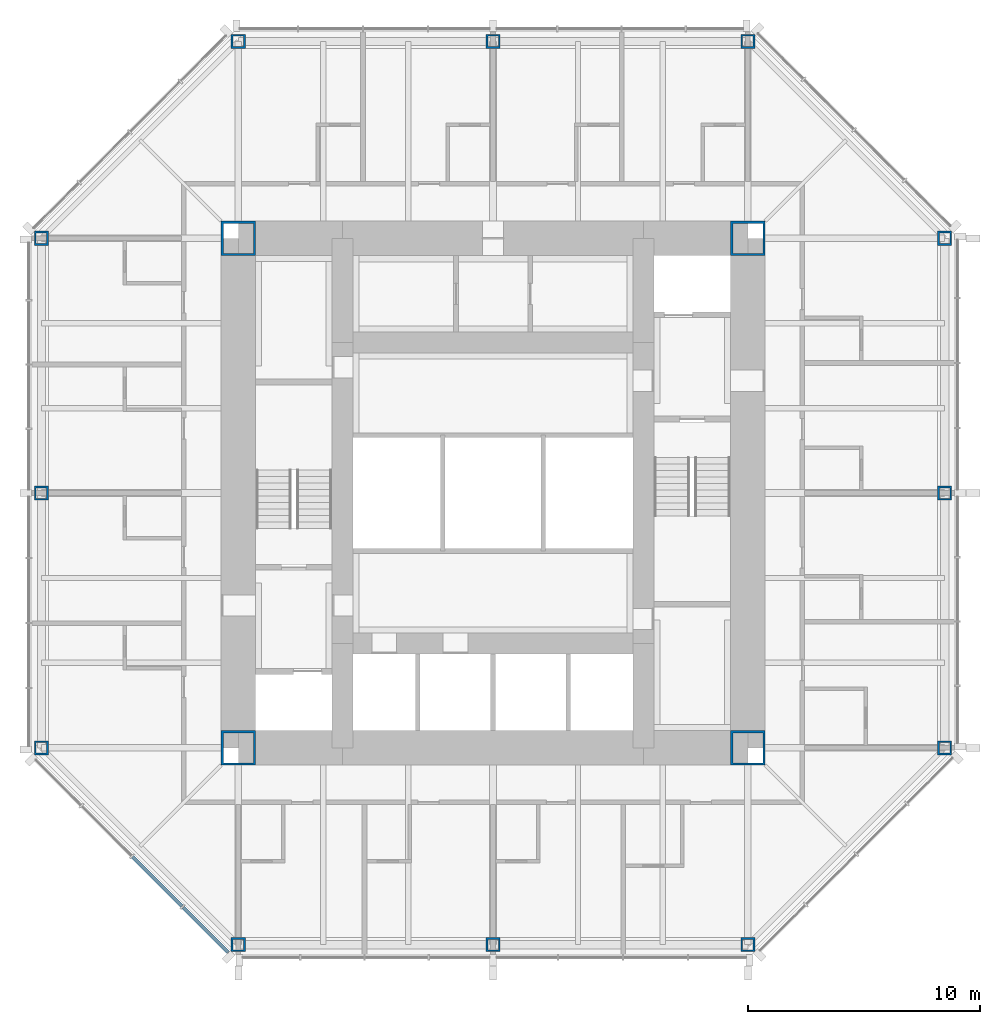
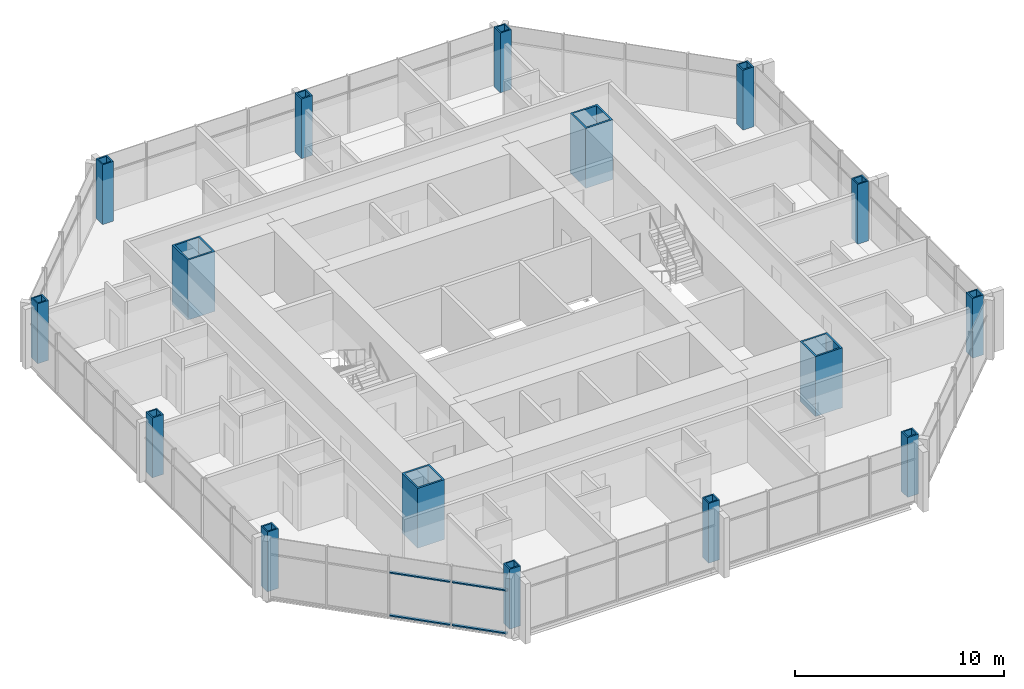
# One storey, part 1 of 12: 16 columns, 4 members, 1 element without a shape of its own.
"""IFC4 building model written with IfcOpenShell, lengths in metres."""

import ifcopenshell
import ifcopenshell.guid

model = None  # the IFC model being written
_history = None  # IfcOwnerHistory: only IFC2X3 demands one
_inside = {}  # id of a spatial element -> (the spatial element, [elements in it])
_under = {}  # id of a project, library or spatial element -> (it, [spatial elements below it])
_declared = {}  # id of a project -> (the project, [libraries it declares])
_typed = {}  # id of a type object -> (the type object, [elements of that type])
_made_of = {}  # id of a material, layer set ... -> (it, [elements and type objects made of it])


def new_model(schema):
    """Start an empty IFC model of exactly this schema.

    Asked for "IFC4X3", IfcOpenShell would pick the latest addendum, in which some entities
    have other attributes; the version numbers below select the first issue.
    IFC2X3 requires an IfcOwnerHistory on every rooted entity: one is made here for all.
    """
    global model, _history
    if schema == "IFC4X3":
        model = ifcopenshell.file(schema_version=(4, 3, 0, 0))
    else:
        model = ifcopenshell.file(schema=schema)
    _inside.clear()
    _under.clear()
    _declared.clear()
    _typed.clear()
    _made_of.clear()
    _history = None
    if model.schema == "IFC2X3":
        org = make("IfcOrganization", Name="unknown")
        user = make(
            "IfcPersonAndOrganization",
            ThePerson=make("IfcPerson", FamilyName="unknown"),
            TheOrganization=org,
        )
        app = make(
            "IfcApplication",
            ApplicationDeveloper=org,
            Version="unknown",
            ApplicationFullName="unknown",
            ApplicationIdentifier="unknown",
        )
        _history = make(
            "IfcOwnerHistory",
            OwningUser=user,
            OwningApplication=app,
            ChangeAction="ADDED",
            CreationDate=0,
        )
    return model


def make(cls, **values):
    """One entity of the class cls with the attributes given. An attribute that is None is left unset."""
    return model.create_entity(
        cls, **{name: value for name, value in values.items() if value is not None}
    )


def rooted(cls, **values):
    """An entity with a GlobalId (a new one), such as an element, a storey or a relation."""
    return make(cls, GlobalId=ifcopenshell.guid.new(), OwnerHistory=_history, **values)


def si_unit(unit_type, name, prefix=None):
    """IfcSIUnit, for example si_unit("LENGTHUNIT", "METRE", prefix="MILLI")."""
    return make("IfcSIUnit", UnitType=unit_type, Prefix=prefix, Name=name)


def assignment(units):
    """IfcUnitAssignment: the units of a project."""
    return None if units is None else make("IfcUnitAssignment", Units=units)


def point(xyz):
    """IfcCartesianPoint."""
    return None if xyz is None else make("IfcCartesianPoint", Coordinates=xyz)


def direction(xyz):
    """IfcDirection."""
    return None if xyz is None else make("IfcDirection", DirectionRatios=xyz)


def frame(location, z_axis=None, x_axis=None):
    """IfcAxis2Placement3D, a coordinate frame: its origin and axes. An axis left out is left unset."""
    return make(
        "IfcAxis2Placement3D",
        Location=point(location),
        Axis=direction(z_axis),
        RefDirection=direction(x_axis),
    )


def frame_2d(location, x_axis=None):
    """IfcAxis2Placement2D, a coordinate frame in the plane: its origin and x axis."""
    return make(
        "IfcAxis2Placement2D", Location=point(location), RefDirection=direction(x_axis)
    )


def origin():
    """The frame at (0, 0, 0) with its axes left unset."""
    return frame((0.0, 0.0, 0.0))


def origin_2d():
    """The frame at (0, 0) in the plane with its x axis left unset."""
    return frame_2d((0.0, 0.0))


def place(relative_to, where):
    """IfcLocalPlacement: puts the frame where relative to a parent placement (None: the world)."""
    return make(
        "IfcLocalPlacement", PlacementRelTo=relative_to, RelativePlacement=where
    )


def context(
    kind, dimensions, precision=None, world=None, true_north=None, identifier=None
):
    """IfcGeometricRepresentationContext, for example the 3D "Model" context."""
    return make(
        "IfcGeometricRepresentationContext",
        ContextIdentifier=identifier,
        ContextType=kind,
        CoordinateSpaceDimension=dimensions,
        Precision=precision,
        WorldCoordinateSystem=world,
        TrueNorth=true_north,
    )


def subcontext(parent, identifier, kind, view, scale=None):
    """IfcGeometricRepresentationSubContext, for example "Body" below "Model"."""
    return make(
        "IfcGeometricRepresentationSubContext",
        ContextIdentifier=identifier,
        ContextType=kind,
        ParentContext=parent,
        TargetScale=scale,
        TargetView=view,
    )


def project(units=None, contexts=None):
    """IfcProject with its units and contexts."""
    return rooted(
        "IfcProject",
        Name="project",
        RepresentationContexts=contexts,
        UnitsInContext=assignment(units),
    )


def spatial(cls, under=None, at=None, **own):
    """A site, building, storey or space (cls), placed at a placement, below another one or the project."""
    s = rooted(cls, ObjectPlacement=at, **own)
    if under is not None:
        _under.setdefault(under.id(), (under, []))[1].append(s)
    return s


def profile(cls, at=None, kind="AREA", **sizes):
    """A parametric profile (cls). Its sizes go by their IFC names, for example OverallWidth=200.0."""
    return make(cls, ProfileType=kind, Position=at, **sizes)


def rectangle(**sizes):
    """IfcRectangleProfileDef."""
    return profile("IfcRectangleProfileDef", **sizes)


def hollow_rectangle(**sizes):
    """IfcRectangleHollowProfileDef."""
    return profile("IfcRectangleHollowProfileDef", **sizes)


def extrude(swept, where, along, depth):
    """IfcExtrudedAreaSolid: the profile swept, set in the frame where, extruded along a direction by depth."""
    return make(
        "IfcExtrudedAreaSolid",
        SweptArea=swept,
        Position=where,
        ExtrudedDirection=direction(along),
        Depth=depth,
    )


def shape(context_of_items, identifier, shape_type, items):
    """IfcShapeRepresentation: the items that make up one representation, for example the "Body"."""
    return make(
        "IfcShapeRepresentation",
        ContextOfItems=context_of_items,
        RepresentationIdentifier=identifier,
        RepresentationType=shape_type,
        Items=items,
    )


def material(Name=None, Category=None):
    """IfcMaterial."""
    return make("IfcMaterial", Name=Name, Category=Category)


def material_profile(
    of_material, cross_section, Name=None, Category=None, Priority=None
):
    """IfcMaterialProfile: a cross section and its material."""
    return make(
        "IfcMaterialProfile",
        Name=Name,
        Material=of_material,
        Profile=cross_section,
        Priority=Priority,
        Category=Category,
    )


def profile_set(profiles, Name=None, composite=None):
    """IfcMaterialProfileSet."""
    return make(
        "IfcMaterialProfileSet",
        Name=Name,
        MaterialProfiles=profiles,
        CompositeProfile=composite,
    )


def made_of(thing, what):
    """Note that an element or type object is made of a material, layer set ...; save() writes the relation."""
    if what is not None:
        _made_of.setdefault(what.id(), (what, []))[1].append(thing)
    return thing


def type_object(cls, material=None, **own):
    """A type object (cls), such as IfcWallType, which elements share."""
    return made_of(rooted(cls, **own), material)


def element(
    cls,
    number,
    at=None,
    inside=None,
    cuts=None,
    type_object=None,
    material=None,
    context=None,
    identifier="Body",
    shape_type=None,
    held_by="IfcProductDefinitionShape",
    body=None,
    shapes=None,
    **own,
):
    """One element of the class cls, such as IfcWall. Its Tag is "e" and its number.

    at: its placement. inside: the storey or other place that contains it. cuts: it is an
    opening in that element (IfcRelVoidsElement). A single representation is given by context,
    identifier, shape_type and body (its items); several are given by shapes. held_by: the class
    of the entity that holds the representations. save() writes the other relations.
    """
    e = rooted(cls, Tag="e%d" % number, ObjectPlacement=at, **own)
    if body is not None:
        shapes = [shape(context, identifier, shape_type, body)]
    if shapes is not None:
        e.Representation = make(held_by, Representations=shapes)
    if inside is not None:
        _inside.setdefault(inside.id(), (inside, []))[1].append(e)
    if cuts is not None:
        rooted(
            "IfcRelVoidsElement", RelatingBuildingElement=cuts, RelatedOpeningElement=e
        )
    if type_object is not None:
        _typed.setdefault(type_object.id(), (type_object, []))[1].append(e)
    return made_of(e, material)


def aggregate(whole, parts):
    """IfcRelAggregates: a whole, such as a stair, and the parts it consists of."""
    return rooted("IfcRelAggregates", RelatingObject=whole, RelatedObjects=parts)


def save(model, path):
    """Write the relations noted so far, then the file.

    IfcRelAggregates (storeys below a building ...), IfcRelContainedInSpatialStructure (elements
    in a storey), IfcRelDefinesByType, IfcRelAssociatesMaterial and IfcRelDeclares: one each for
    every whole, place, type object, material and project.
    """
    for whole, parts in _under.values():
        aggregate(whole, parts)
    for where, things in _inside.values():
        rooted(
            "IfcRelContainedInSpatialStructure",
            RelatedElements=things,
            RelatingStructure=where,
        )
    for kind, things in _typed.values():
        rooted("IfcRelDefinesByType", RelatedObjects=things, RelatingType=kind)
    for what, things in _made_of.values():
        rooted("IfcRelAssociatesMaterial", RelatedObjects=things, RelatingMaterial=what)
    for by, libraries in _declared.values():
        rooted("IfcRelDeclares", RelatingContext=by, RelatedDefinitions=libraries)
    model.write(path)


model = new_model("IFC4")

# Units and contexts
model_context = context("Model", 3, precision=1e-05, world=origin(), true_north=direction((0.0, 1.0)))
body_context = subcontext(model_context, "Body", "Model", "MODEL_VIEW")
ifc_project = project(units=[si_unit("LENGTHUNIT", "METRE"), si_unit("AREAUNIT", "SQUARE_METRE"), si_unit("VOLUMEUNIT", "CUBIC_METRE"), si_unit("PLANEANGLEUNIT", "RADIAN"), si_unit("MASSUNIT", "GRAM", prefix="KILO")], contexts=[model_context])

# Site, building, storey
site_placement = place(None, origin())
site = spatial("IfcSite", under=ifc_project, at=site_placement, CompositionType="ELEMENT")
building_placement = place(site_placement, origin())
building = spatial("IfcBuilding", under=site, at=building_placement, Name="Trevanion Tower", CompositionType="ELEMENT")
storey_placement = place(building_placement, frame((0.0, 0.0, 197.699951171875)))
storey = spatial("IfcBuildingStorey", under=building, at=storey_placement, Name="L46", CompositionType="ELEMENT", Elevation=197.699951171875)

# Columns
ifc_material_1 = material(Name="Steel ASTM A572 Grade 50", Category="steel")
ifc_material_profile_1 = material_profile(ifc_material_1, hollow_rectangle(XDim=0.609619140625, YDim=0.609619140625, WallThickness=0.076171875, at=origin_2d()), Name="BOX24X24X3")
ifc_profile_set_1 = profile_set([ifc_material_profile_1], Name="Steel ASTM A572 Grade 50")
column_type_1 = type_object("IfcColumnType", Name="C5 BOX24X24X3", PredefinedType="COLUMN", material=ifc_profile_set_1)
for number, where, z_axis, x_axis, name in (
    (1, (-19.5, 0.0, 0.0), (0.0, 0.0, 1.0), (0.0, 1.0, 0.0), "C5 5/H L46"),
    (2, (-19.5, -11.0, 0.0), (0.0, 0.0, 1.0), (0.0, 1.0, 0.0), "C5 5/F L46"),
    (3, (-11.0, -19.5, 0.0), (0.0, 0.0, 1.0), (1.0, 0.0, 0.0), "C5 8/C L46"),
    (4, (0.0, -19.5, 0.0), (0.0, 0.0, 1.0), (1.0, 0.0, 0.0), "C5 10/C L46"),
    (5, (11.0, -19.5, 0.0), (0.0, 0.0, 1.0), (1.0, 0.0, 0.0), "C5 12/C L46"),
    (6, (19.5, -11.0, 0.0), (0.0, 0.0, 1.0), (0.0, 1.0, 0.0), "C5 15/F L46"),
    (7, (19.5, 0.0, 0.0), (0.0, 0.0, 1.0), (0.0, 1.0, 0.0), "C5 15/H L46"),
    (8, (19.5, 11.0, 0.0), (0.0, 0.0, 1.0), (0.0, 1.0, 0.0), "C5 15/K L46"),
    (9, (11.0, 19.5, 0.0), (0.0, 0.0, 1.0), (1.0, 0.0, 0.0), "C5 12/N L46"),
    (10, (0.0, 19.5, 0.0), (0.0, 0.0, 1.0), (1.0, 0.0, 0.0), "C5 10/N L46"),
    (11, (-11.0, 19.5, 0.0), (0.0, 0.0, 1.0), (1.0, 0.0, 0.0), "C5 8/N L46"),
    (12, (-19.5, 11.0, 0.0), (0.0, 0.0, 1.0), (0.0, 1.0, 0.0), "C5 5/K L46"),
):
    element("IfcColumn", number, at=place(storey_placement, frame(where, z_axis=z_axis, x_axis=x_axis)), inside=storey, type_object=column_type_1, Name=name, PredefinedType="COLUMN", context=body_context, shape_type="SweptSolid", body=[
        extrude(hollow_rectangle(XDim=0.609619140625, YDim=0.609619140625, WallThickness=0.076171875, at=origin_2d()), origin(), (0.0, 0.0, 1.0), 3.5),
    ])
ifc_material_2 = material(Name="Steel ASTM A572 Grade 50", Category="steel")
ifc_material_profile_2 = material_profile(ifc_material_2, hollow_rectangle(XDim=1.49853515625, YDim=1.49853515625, WallThickness=0.1015625, at=origin_2d()), Name="BOX59X59X4")
ifc_profile_set_2 = profile_set([ifc_material_profile_2], Name="Steel ASTM A572 Grade 50")
column_type_2 = type_object("IfcColumnType", Name="CB1 BOX59X59X4", PredefinedType="COLUMN", material=ifc_profile_set_2)
for number, where, z_axis, x_axis, name in (
    (13, (11.0, 11.0, 0.0), (0.0, 0.0, 1.0), (1.0, 0.0, 0.0), "CB1 NE L46"),
    (14, (-11.0, 11.0, 0.0), (0.0, 0.0, 1.0), (1.0, 0.0, 0.0), "CB1 NW L46"),
    (15, (-11.0, -11.0, 0.0), (0.0, 0.0, 1.0), (1.0, 0.0, 0.0), "CB1 SW L46"),
    (16, (11.0, -11.0, 0.0), (0.0, 0.0, 1.0), (1.0, 0.0, 0.0), "CB1 SE L46"),
):
    element("IfcColumn", number, at=place(storey_placement, frame(where, z_axis=z_axis, x_axis=x_axis)), inside=storey, type_object=column_type_2, Name=name, PredefinedType="COLUMN", context=body_context, shape_type="SweptSolid", body=[
        extrude(hollow_rectangle(XDim=1.49853515625, YDim=1.49853515625, WallThickness=0.1015625, at=origin_2d()), origin(), (0.0, 0.0, 1.0), 3.5),
    ])

# Curtain wall, members
ifc_material_3 = material(Name="Aluminium and glass", Category="aluminium")
curtain_wall_type = type_object("IfcCurtainWallType", Name="CW3 curtain wall", PredefinedType="USERDEFINED", material=ifc_material_3)
curtain_wall_placement = place(storey_placement, origin())
curtain_wall = element("IfcCurtainWall", 17, at=curtain_wall_placement, inside=storey, type_object=curtain_wall_type, Name="CW3 L46 5", ObjectType="UNITISED CURTAIN WALL", PredefinedType="USERDEFINED")
ifc_material_4 = material(Name="Aluminium extrusion, anodised bronze", Category="aluminium")
ifc_material_profile_3 = material_profile(ifc_material_4, rectangle(XDim=0.14990234375, YDim=0.074951171875, at=origin_2d()), Name="CW3 transom")
ifc_profile_set_3 = profile_set([ifc_material_profile_3], Name="Aluminium extrusion, anodised bronze")
member_type = type_object("IfcMemberType", Name="CW3 transom", PredefinedType="USERDEFINED", material=ifc_profile_set_3)
member_1_placement = place(storey_placement, frame((-15.56640625, -15.71142578125, -0.15234375), z_axis=(0.707106781187, -0.707106781187, 0.0), x_axis=(0.707106781187, 0.707106781187, 0.0)))
member_1 = element("IfcMember", 18, at=member_1_placement, type_object=member_type, Name="CW3 transom 3.1", ObjectType="TRANSOM", PredefinedType="USERDEFINED", context=body_context, shape_type="SweptSolid", body=[
    extrude(rectangle(XDim=0.14990234375, YDim=0.074951171875, at=origin_2d()), origin(), (0.0, 0.0, 1.0), 3.011474609375),
])
member_2_placement = place(storey_placement, frame((-15.56640625, -15.71142578125, 2.360107421875), z_axis=(0.707106781187, -0.707106781187, 0.0), x_axis=(0.707106781187, 0.707106781187, 0.0)))
member_2 = element("IfcMember", 19, at=member_2_placement, type_object=member_type, Name="CW3 transom 3.2", ObjectType="TRANSOM", PredefinedType="USERDEFINED", context=body_context, shape_type="SweptSolid", body=[
    extrude(rectangle(XDim=0.14990234375, YDim=0.074951171875, at=origin_2d()), origin(), (0.0, 0.0, 1.0), 3.011474609375),
])
member_3_placement = place(storey_placement, frame((-13.3837890625, -17.89404296875, -0.15234375), z_axis=(0.707106781187, -0.707106781187, 0.0), x_axis=(0.707106781187, 0.707106781187, 0.0)))
member_3 = element("IfcMember", 20, at=member_3_placement, type_object=member_type, Name="CW3 transom 4.1", ObjectType="TRANSOM", PredefinedType="USERDEFINED", context=body_context, shape_type="SweptSolid", body=[
    extrude(rectangle(XDim=0.14990234375, YDim=0.074951171875, at=origin_2d()), origin(), (0.0, 0.0, 1.0), 2.7490234375),
])
member_4_placement = place(storey_placement, frame((-13.3837890625, -17.89404296875, 2.360107421875), z_axis=(0.707106781187, -0.707106781187, 0.0), x_axis=(0.707106781187, 0.707106781187, 0.0)))
member_4 = element("IfcMember", 21, at=member_4_placement, type_object=member_type, Name="CW3 transom 4.2", ObjectType="TRANSOM", PredefinedType="USERDEFINED", context=body_context, shape_type="SweptSolid", body=[
    extrude(rectangle(XDim=0.14990234375, YDim=0.074951171875, at=origin_2d()), origin(), (0.0, 0.0, 1.0), 2.7490234375),
])
aggregate(curtain_wall, [member_1, member_2, member_3, member_4])

save(model, "model.ifc")
